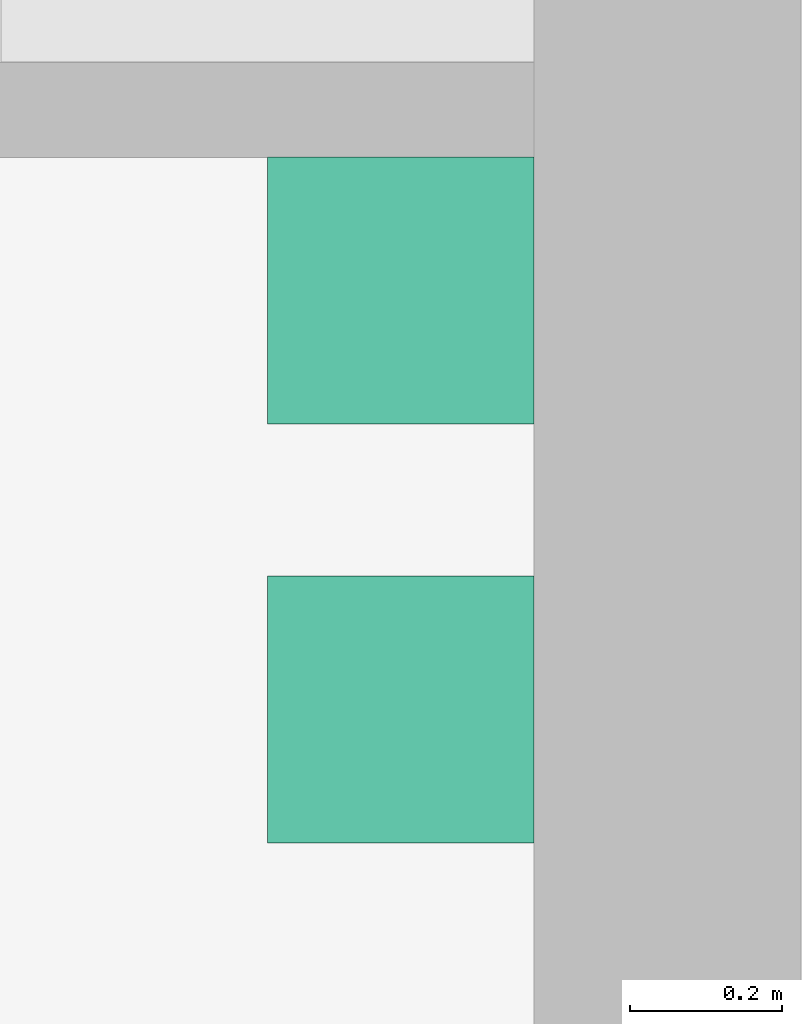
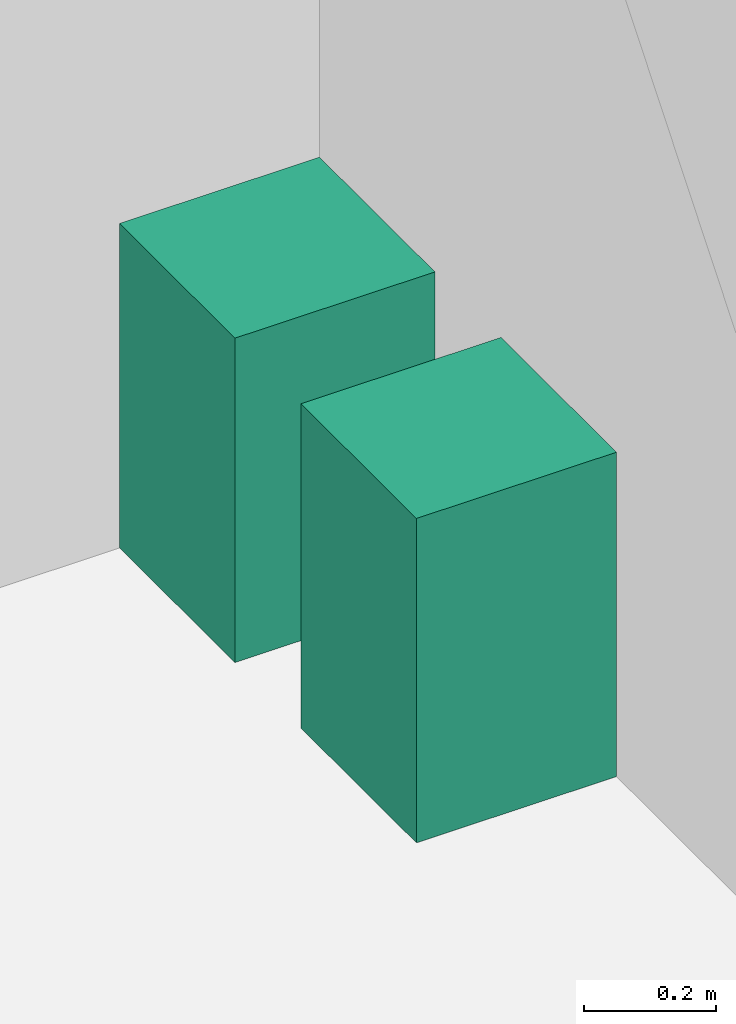
# One storey, part 75 of 76: 2 sanitary terminals.
"""IFC4 building model written with IfcOpenShell, lengths in metres."""

from ifc_helpers import new_model, si_unit, direction, frame, origin, origin_2d, place, context, subcontext, project, spatial, rectangle, extrude, element, save


model = new_model("IFC4")

# Units and contexts
model_context = context("Model", 3, precision=1e-05, world=origin(), true_north=direction((0.0, 1.0)))
body_context = subcontext(model_context, "Body", "Model", "MODEL_VIEW")
ifc_project = project(units=[si_unit("LENGTHUNIT", "METRE"), si_unit("AREAUNIT", "SQUARE_METRE"), si_unit("VOLUMEUNIT", "CUBIC_METRE"), si_unit("PLANEANGLEUNIT", "RADIAN"), si_unit("MASSUNIT", "GRAM", prefix="KILO")], contexts=[model_context])

# Site, building, storey
site_placement = place(None, origin())
site = spatial("IfcSite", under=ifc_project, at=site_placement, CompositionType="ELEMENT")
building_placement = place(site_placement, origin())
building = spatial("IfcBuilding", under=site, at=building_placement, Name="Hlaing Beacon Police Headquarters", CompositionType="ELEMENT")
storey_placement = place(building_placement, origin())
storey = spatial("IfcBuildingStorey", under=building, at=storey_placement, Name="L00", CompositionType="ELEMENT", Elevation=0.0)

# Sanitary terminals
for number, where, z_axis, x_axis, name in (
    (1, (134.074951171875, 86.762939453125, 0.0), (0.0, 0.0, 1.0), (1.0, 0.0, 0.0), "Urinal"),
    (2, (134.074951171875, 86.212890625, 0.0), (0.0, 0.0, 1.0), (1.0, 0.0, 0.0), "Urinal"),
):
    element("IfcSanitaryTerminal", number, at=place(storey_placement, frame(where, z_axis=z_axis, x_axis=x_axis)), inside=storey, Name=name, PredefinedType="URINAL", context=body_context, shape_type="SweptSolid", body=[
        extrude(rectangle(XDim=0.35009765625, YDim=0.35009765625, at=origin_2d()), origin(), (0.0, 0.0, 1.0), 0.60009765625),
    ])

save(model, "model.ifc")
